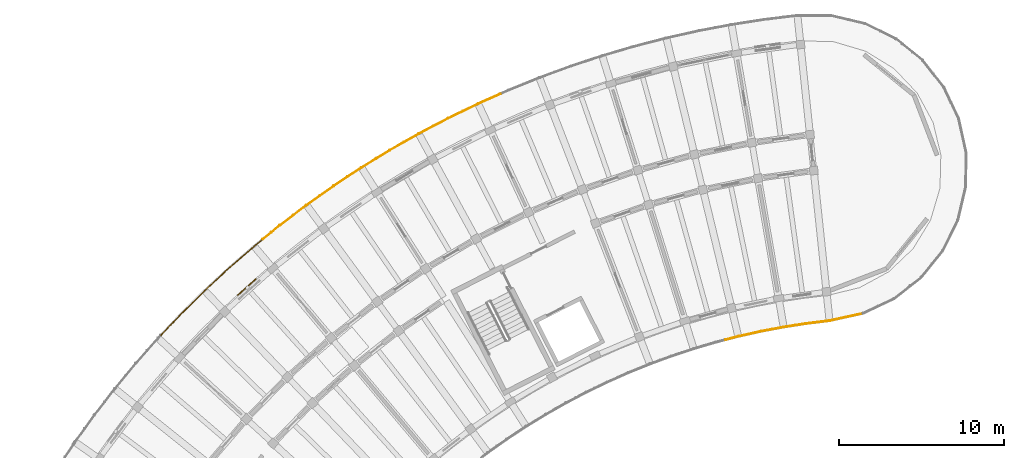
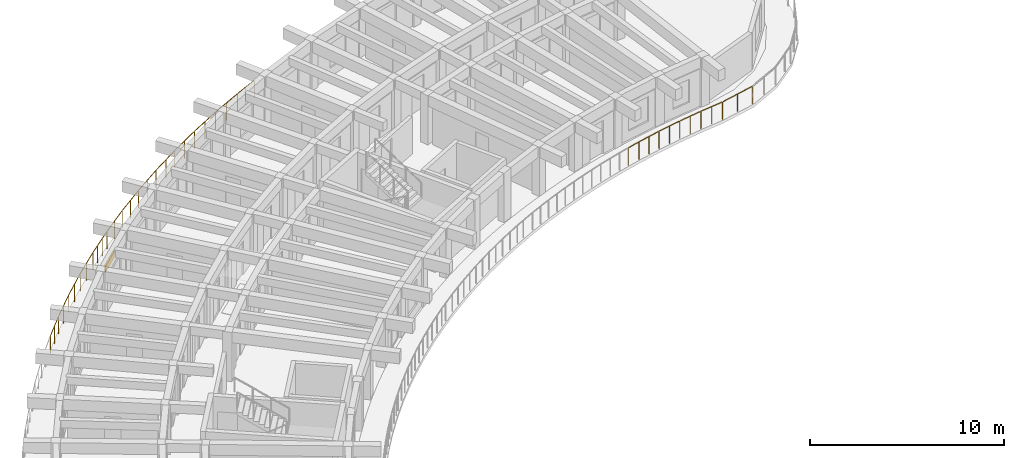
# One storey, part 73 of 83: 4 railings, 1 shading device.
"""IFC4 building model written with IfcOpenShell, lengths in metres."""

from ifc_helpers import new_model, si_unit, direction, frame, origin, origin_2d, place, context, subcontext, project, spatial, rectangle, circle, extrude, material, layer, layer_set, type_object, element, save


model = new_model("IFC4")

# Units and contexts
model_context = context("Model", 3, precision=1e-05, world=origin(), true_north=direction((0.0, 1.0)))
body_context = subcontext(model_context, "Body", "Model", "MODEL_VIEW")
ifc_project = project(units=[si_unit("LENGTHUNIT", "METRE"), si_unit("AREAUNIT", "SQUARE_METRE"), si_unit("VOLUMEUNIT", "CUBIC_METRE"), si_unit("PLANEANGLEUNIT", "RADIAN"), si_unit("MASSUNIT", "GRAM", prefix="KILO")], contexts=[model_context])

# Site, building, storey
site_placement = place(None, origin())
site = spatial("IfcSite", under=ifc_project, at=site_placement, CompositionType="ELEMENT")
building_placement = place(site_placement, origin())
building = spatial("IfcBuilding", under=site, at=building_placement, Name="Tanwirah Colonnade Gardens", CompositionType="ELEMENT")
storey_placement = place(building_placement, frame((0.0, 0.0, 25.639892578125)))
storey = spatial("IfcBuildingStorey", under=building, at=storey_placement, Name="L07", CompositionType="ELEMENT", Elevation=25.639892578125)

# Railings
ifc_material_1 = material(Name="Precast concrete C40/50", Category="concrete")
railing_type = type_object("IfcRailingType", Name="BAL-EXT112", PredefinedType="BALUSTRADE", material=ifc_material_1)
railing_1_placement = place(storey_placement, frame((62.57666015625, 103.095947265625, 0.0)))
element("IfcRailing", 1, at=railing_1_placement, inside=storey, type_object=railing_type, Name="Block A L07 Balcony Ribbon Balustrade 1", PredefinedType="BALUSTRADE", context=body_context, shape_type="SweptSolid", body=[
    extrude(circle(Radius=0.02392578125, at=origin_2d()), frame((-0.030517578125, -0.0068359375, 1.09619140625), z_axis=(-0.976545428659, -0.215311462222, 0.0), x_axis=(0.215311462222, -0.976545428659, 0.0)), (0.0, 0.0, 1.0), 2.029541015625),
    extrude(circle(Radius=0.02392578125, at=origin_2d()), frame((-2.073974609375, -0.4541015625, 1.09619140625), z_axis=(-0.99267751715, -0.120794647829, 0.0), x_axis=(0.120794647829, -0.99267751715, 0.0)), (0.0, 0.0, 1.0), 1.338134765625),
    extrude(circle(Radius=0.02392578125, at=origin_2d()), frame((-3.466796875, -0.625, 1.09619140625), z_axis=(-0.988147546762, -0.153507087226, 0.0), x_axis=(0.153507087226, -0.988147546762, 0.0)), (0.0, 0.0, 1.0), 1.341796875),
    extrude(circle(Radius=0.02392578125, at=origin_2d()), frame((-4.85693359375, -0.842041015625, 1.09619140625), z_axis=(-0.982547926195, -0.186009603862, 0.0), x_axis=(0.186009603862, -0.982547926195, 0.0)), (0.0, 0.0, 1.0), 1.341796875),
    extrude(circle(Radius=0.02392578125, at=origin_2d()), frame((-6.239013671875, -1.104736328125, 1.09619140625), z_axis=(-0.975875211082, -0.218329046156, 0.0), x_axis=(0.218329046156, -0.975875211082, 0.0)), (0.0, 0.0, 1.0), 1.342041015625),
    extrude(circle(Radius=0.02392578125, at=origin_2d()), frame((-7.61181640625, -1.4130859375, 1.09619140625), z_axis=(-0.968150815957, -0.25036772468, 0.0), x_axis=(0.25036772468, -0.968150815957, 0.0)), (0.0, 0.0, 1.0), 0.721435546875),
    extrude(circle(Radius=0.02099609375, at=origin_2d()), origin(), (0.0, 0.0, 1.0), 1.069091796875),
    extrude(circle(Radius=0.02099609375, at=origin_2d()), frame((-1.021484375, -0.22509765625, 0.0)), (0.0, 0.0, 1.0), 1.069091796875),
    extrude(circle(Radius=0.02099609375, at=origin_2d()), frame((-2.04296875, -0.450439453125, 0.0)), (0.0, 0.0, 1.0), 1.069091796875),
    extrude(circle(Radius=0.02099609375, at=origin_2d()), frame((-2.73828125, -0.53515625, 0.0)), (0.0, 0.0, 1.0), 1.069091796875),
    extrude(circle(Radius=0.02099609375, at=origin_2d()), frame((-3.433349609375, -0.61962890625, 0.0)), (0.0, 0.0, 1.0), 1.069091796875),
    extrude(circle(Radius=0.02099609375, at=origin_2d()), frame((-4.129638671875, -0.72802734375, 0.0)), (0.0, 0.0, 1.0), 1.069091796875),
    extrude(circle(Radius=0.02099609375, at=origin_2d()), frame((-4.823486328125, -0.835693359375, 0.0)), (0.0, 0.0, 1.0), 1.069091796875),
    extrude(circle(Radius=0.02099609375, at=origin_2d()), frame((-5.51611328125, -0.966796875, 0.0)), (0.0, 0.0, 1.0), 1.069091796875),
    extrude(circle(Radius=0.02099609375, at=origin_2d()), frame((-6.2060546875, -1.097412109375, 0.0)), (0.0, 0.0, 1.0), 1.069091796875),
    extrude(circle(Radius=0.02099609375, at=origin_2d()), frame((-6.893798828125, -1.251220703125, 0.0)), (0.0, 0.0, 1.0), 1.069091796875),
    extrude(circle(Radius=0.02099609375, at=origin_2d()), frame((-7.5791015625, -1.404541015625, 0.0)), (0.0, 0.0, 1.0), 1.069091796875),
    extrude(circle(Radius=0.02099609375, at=origin_2d()), frame((-8.340576171875, -1.6015625, 0.0)), (0.0, 0.0, 1.0), 1.069091796875),
])
railing_2_placement = place(storey_placement, frame((19.91796875, 101.760986328125, 0.0)))
element("IfcRailing", 2, at=railing_2_placement, inside=storey, type_object=railing_type, Name="Block A L07 Balcony Ribbon Balustrade 14", PredefinedType="BALUSTRADE", context=body_context, shape_type="SweptSolid", body=[
    extrude(circle(Radius=0.02392578125, at=origin_2d()), frame((0.021484375, 0.022705078125, 1.09619140625), z_axis=(0.686974448696, 0.726681571831, 0.0), x_axis=(-0.726681571831, 0.686974448696, 0.0)), (0.0, 0.0, 1.0), 1.71435546875),
    extrude(circle(Radius=0.02392578125, at=origin_2d()), frame((1.242919921875, 1.313232421875, 1.09619140625), z_axis=(0.710480209462, 0.703717181801, 0.0), x_axis=(-0.703717181801, 0.710480209462, 0.0)), (0.0, 0.0, 1.0), 1.958984375),
    extrude(circle(Radius=0.02392578125, at=origin_2d()), frame((2.679931640625, 2.735107421875, 1.09619140625), z_axis=(0.733352454033, 0.679848643569, 0.0), x_axis=(-0.679848643569, 0.733352454033, 0.0)), (0.0, 0.0, 1.0), 1.958984375),
    extrude(circle(Radius=0.02392578125, at=origin_2d()), frame((4.1630859375, 4.108642578125, 1.09619140625), z_axis=(0.755338292497, 0.655335077565, 0.0), x_axis=(-0.655335077565, 0.755338292497, 0.0)), (0.0, 0.0, 1.0), 1.958984375),
    extrude(circle(Radius=0.02392578125, at=origin_2d()), frame((5.6904296875, 5.4326171875, 1.09619140625), z_axis=(0.776510659425, 0.630104115047, 0.0), x_axis=(-0.630104115047, 0.776510659425, 0.0)), (0.0, 0.0, 1.0), 0.59619140625),
    extrude(circle(Radius=0.02099609375, at=origin_2d()), origin(), (0.0, 0.0, 1.0), 1.069091796875),
    extrude(circle(Radius=0.02099609375, at=origin_2d()), frame((0.6103515625, 0.6455078125, 0.0)), (0.0, 0.0, 1.0), 1.069091796875),
    extrude(circle(Radius=0.02099609375, at=origin_2d()), frame((1.220703125, 1.291259765625, 0.0)), (0.0, 0.0, 1.0), 1.069091796875),
    extrude(circle(Radius=0.02099609375, at=origin_2d()), frame((1.93896484375, 2.00244140625, 0.0)), (0.0, 0.0, 1.0), 1.069091796875),
    extrude(circle(Radius=0.02099609375, at=origin_2d()), frame((2.656982421875, 2.7138671875, 0.0)), (0.0, 0.0, 1.0), 1.069091796875),
    extrude(circle(Radius=0.02099609375, at=origin_2d()), frame((3.398193359375, 3.40087890625, 0.0)), (0.0, 0.0, 1.0), 1.069091796875),
    extrude(circle(Radius=0.02099609375, at=origin_2d()), frame((4.139404296875, 4.088134765625, 0.0)), (0.0, 0.0, 1.0), 1.069091796875),
    extrude(circle(Radius=0.02099609375, at=origin_2d()), frame((4.90283203125, 4.75048828125, 0.0)), (0.0, 0.0, 1.0), 1.069091796875),
    extrude(circle(Radius=0.02099609375, at=origin_2d()), frame((5.666259765625, 5.412841796875, 0.0)), (0.0, 0.0, 1.0), 1.069091796875),
    extrude(circle(Radius=0.02099609375, at=origin_2d()), frame((6.177734375, 5.827880859375, 0.0)), (0.0, 0.0, 1.0), 1.069091796875),
])
railing_3_placement = place(storey_placement, frame((26.095703125, 107.5888671875, 0.0)))
element("IfcRailing", 3, at=railing_3_placement, inside=storey, type_object=railing_type, Name="Block A L07 Balcony Ribbon Balustrade 15", PredefinedType="BALUSTRADE", context=body_context, shape_type="SweptSolid", body=[
    extrude(circle(Radius=0.02392578125, at=origin_2d()), frame((0.024169921875, 0.019775390625, 1.09619140625), z_axis=(0.776568601174, 0.630032703652, 0.0), x_axis=(-0.630032703652, 0.776568601174, 0.0)), (0.0, 0.0, 1.0), 1.30029296875),
    extrude(circle(Radius=0.02392578125, at=origin_2d()), frame((1.083251953125, 0.87744140625, 1.09619140625), z_axis=(0.796887753746, 0.604127393792, 0.0), x_axis=(-0.604127393792, 0.796887753746, 0.0)), (0.0, 0.0, 1.0), 1.958984375),
    extrude(circle(Radius=0.02392578125, at=origin_2d()), frame((2.69482421875, 2.097900390625, 1.09619140625), z_axis=(0.816344803849, 0.577564854565, 0.0), x_axis=(-0.577564854565, 0.816344803849, 0.0)), (0.0, 0.0, 1.0), 1.958740234375),
    extrude(circle(Radius=0.02392578125, at=origin_2d()), frame((4.345458984375, 3.264404296875, 1.09619140625), z_axis=(0.834955682369, 0.550317188973, 0.0), x_axis=(-0.550317188973, 0.834955682369, 0.0)), (0.0, 0.0, 1.0), 1.959228515625),
    extrude(circle(Radius=0.02392578125, at=origin_2d()), frame((6.033935546875, 4.376220703125, 1.09619140625), z_axis=(0.852594710096, 0.522572732082, 0.0), x_axis=(-0.522572732082, 0.852594710096, 0.0)), (0.0, 0.0, 1.0), 1.01025390625),
    extrude(circle(Radius=0.02099609375, at=origin_2d()), origin(), (0.0, 0.0, 1.0), 1.069091796875),
    extrude(circle(Radius=0.02099609375, at=origin_2d()), frame((0.529296875, 0.42919921875, 0.0)), (0.0, 0.0, 1.0), 1.069091796875),
    extrude(circle(Radius=0.02099609375, at=origin_2d()), frame((1.058349609375, 0.858642578125, 0.0)), (0.0, 0.0, 1.0), 1.069091796875),
    extrude(circle(Radius=0.02099609375, at=origin_2d()), frame((1.86376953125, 1.46923828125, 0.0)), (0.0, 0.0, 1.0), 1.069091796875),
    extrude(circle(Radius=0.02099609375, at=origin_2d()), frame((2.669189453125, 2.079833984375, 0.0)), (0.0, 0.0, 1.0), 1.069091796875),
    extrude(circle(Radius=0.02099609375, at=origin_2d()), frame((3.494140625, 2.66357421875, 0.0)), (0.0, 0.0, 1.0), 1.069091796875),
    extrude(circle(Radius=0.02099609375, at=origin_2d()), frame((4.3193359375, 3.247314453125, 0.0)), (0.0, 0.0, 1.0), 1.069091796875),
    extrude(circle(Radius=0.02099609375, at=origin_2d()), frame((5.163330078125, 3.8037109375, 0.0)), (0.0, 0.0, 1.0), 1.069091796875),
    extrude(circle(Radius=0.02099609375, at=origin_2d()), frame((6.00732421875, 4.35986328125, 0.0)), (0.0, 0.0, 1.0), 1.069091796875),
    extrude(circle(Radius=0.02099609375, at=origin_2d()), frame((6.921875, 4.92041015625, 0.0)), (0.0, 0.0, 1.0), 1.069091796875),
])
railing_4_placement = place(storey_placement, frame((33.017578125, 112.50927734375, 0.0)))
element("IfcRailing", 4, at=railing_4_placement, inside=storey, type_object=railing_type, Name="Block A L07 Balcony Ribbon Balustrade 16", PredefinedType="BALUSTRADE", context=body_context, shape_type="SweptSolid", body=[
    extrude(circle(Radius=0.02392578125, at=origin_2d()), frame((0.026611328125, 0.016357421875, 1.09619140625), z_axis=(0.852734357798, 0.522344823877, 0.0), x_axis=(-0.522344823877, 0.852734357798, 0.0)), (0.0, 0.0, 1.0), 0.88623046875),
    extrude(circle(Radius=0.02392578125, at=origin_2d()), frame((0.836181640625, 0.510986328125, 1.09619140625), z_axis=(0.869392881113, 0.494121461049, 0.0), x_axis=(-0.494121461049, 0.869392881113, 0.0)), (0.0, 0.0, 1.0), 1.958740234375),
    extrude(circle(Radius=0.02392578125, at=origin_2d()), frame((2.593994140625, 1.509033203125, 1.09619140625), z_axis=(0.885211446817, 0.465188880374, 0.0), x_axis=(-0.465188880374, 0.885211446817, 0.0)), (0.0, 0.0, 1.0), 1.958984375),
    extrude(circle(Radius=0.02392578125, at=origin_2d()), frame((4.384033203125, 2.448486328125, 1.09619140625), z_axis=(0.900055350621, 0.435775591122, 0.0), x_axis=(-0.435775591122, 0.900055350621, 0.0)), (0.0, 0.0, 1.0), 1.958740234375),
    extrude(circle(Radius=0.02392578125, at=origin_2d()), frame((6.203857421875, 3.328369140625, 1.09619140625), z_axis=(0.913919852198, 0.405894695406, 0.0), x_axis=(-0.405894695406, 0.913919852198, 0.0)), (0.0, 0.0, 1.0), 1.42431640625),
    extrude(circle(Radius=0.02099609375, at=origin_2d()), origin(), (0.0, 0.0, 1.0), 1.069091796875),
    extrude(circle(Radius=0.02099609375, at=origin_2d()), frame((0.80908203125, 0.49560546875, 0.0)), (0.0, 0.0, 1.0), 1.069091796875),
    extrude(circle(Radius=0.02099609375, at=origin_2d()), frame((1.687744140625, 0.9951171875, 0.0)), (0.0, 0.0, 1.0), 1.069091796875),
    extrude(circle(Radius=0.02099609375, at=origin_2d()), frame((2.56640625, 1.494384765625, 0.0)), (0.0, 0.0, 1.0), 1.069091796875),
    extrude(circle(Radius=0.02099609375, at=origin_2d()), frame((3.461181640625, 1.964599609375, 0.0)), (0.0, 0.0, 1.0), 1.069091796875),
    extrude(circle(Radius=0.02099609375, at=origin_2d()), frame((4.35595703125, 2.434814453125, 0.0)), (0.0, 0.0, 1.0), 1.069091796875),
    extrude(circle(Radius=0.02099609375, at=origin_2d()), frame((5.265625, 2.875244140625, 0.0)), (0.0, 0.0, 1.0), 1.069091796875),
    extrude(circle(Radius=0.02099609375, at=origin_2d()), frame((6.17529296875, 3.315673828125, 0.0)), (0.0, 0.0, 1.0), 1.069091796875),
    extrude(circle(Radius=0.02099609375, at=origin_2d()), frame((6.854736328125, 3.617431640625, 0.0)), (0.0, 0.0, 1.0), 1.069091796875),
    extrude(circle(Radius=0.02099609375, at=origin_2d()), frame((7.5341796875, 3.919189453125, 0.0)), (0.0, 0.0, 1.0), 1.069091796875),
])

# Shading device
ifc_material_2 = material(Name="Perforated architectural bronze aluminium", Category="aluminium")
ifc_layer = layer(ifc_material_2, 0.050048828125)
ifc_layer_set = layer_set([ifc_layer], Name="Perforated architectural bronze aluminium")
shading_device_type = type_object("IfcShadingDeviceType", Name="SHD-OVH1", PredefinedType="SHUTTER", material=ifc_layer_set)
shading_device_placement = place(storey_placement, frame((25.137939453125, 104.689208984375, 1.9951171875), z_axis=(0.0, 0.0, 1.0), x_axis=(-0.744442009065, -0.667687123688, 0.0)))
element("IfcShadingDevice", 5, at=shading_device_placement, inside=storey, type_object=shading_device_type, Name="Solar shading louver hood A-L07-09", PredefinedType="SHUTTER", context=body_context, shape_type="SweptSolid", body=[
    extrude(rectangle(XDim=1.5, YDim=0.06005859375, at=origin_2d()), origin(), (0.0, 0.0, 1.0), 0.449951171875),
])

save(model, "model.ifc")
